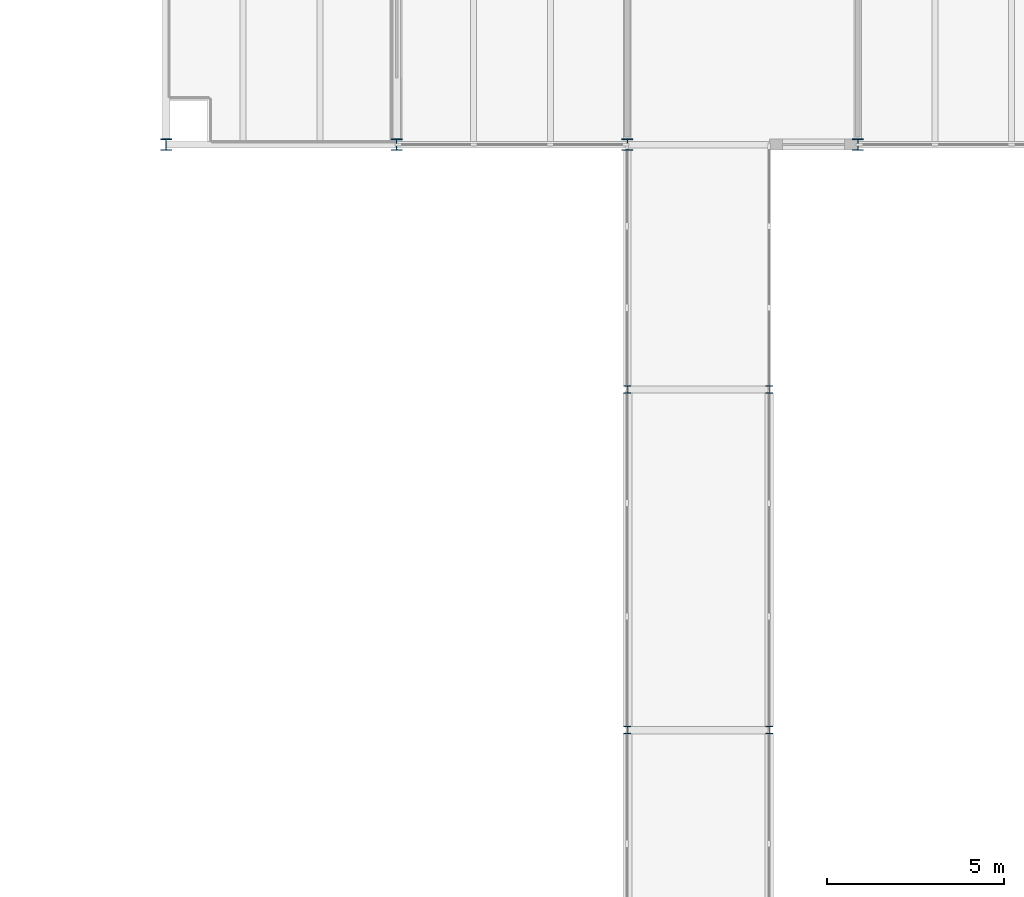
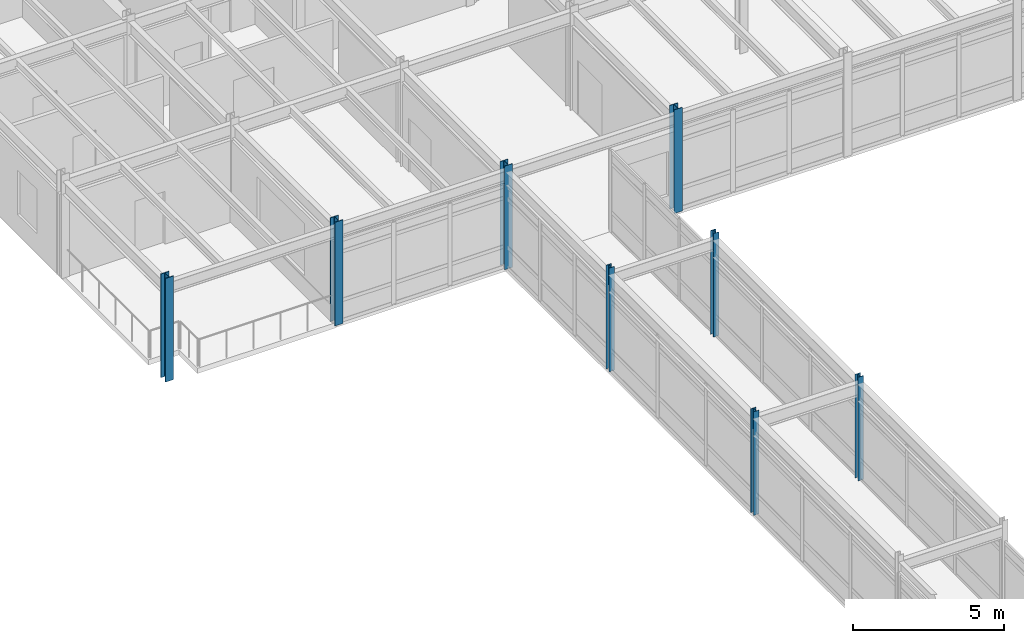
# One storey, part 12 of 144: 8 columns.
"""IFC4 building model written with IfcOpenShell, lengths in metres."""

from ifc_helpers import new_model, si_unit, direction, frame, origin, origin_2d, place, context, subcontext, project, spatial, i_section, extrude, material, material_profile, profile_set, type_object, element, save


model = new_model("IFC4")

# Units and contexts
model_context = context("Model", 3, precision=1e-05, world=origin(), true_north=direction((0.0, 1.0)))
body_context = subcontext(model_context, "Body", "Model", "MODEL_VIEW")
ifc_project = project(units=[si_unit("LENGTHUNIT", "METRE"), si_unit("AREAUNIT", "SQUARE_METRE"), si_unit("VOLUMEUNIT", "CUBIC_METRE"), si_unit("PLANEANGLEUNIT", "RADIAN"), si_unit("MASSUNIT", "GRAM", prefix="KILO")], contexts=[model_context])

# Site, building, storey
site_placement = place(None, origin())
site = spatial("IfcSite", under=ifc_project, at=site_placement, CompositionType="ELEMENT")
building_placement = place(site_placement, origin())
building = spatial("IfcBuilding", under=site, at=building_placement, Name="Trelmorton Wharf Fire Station", CompositionType="ELEMENT")
storey_placement = place(building_placement, frame((0.0, 0.0, 5.39990234375)))
storey = spatial("IfcBuildingStorey", under=building, at=storey_placement, Name="L01", CompositionType="ELEMENT", Elevation=5.39990234375)

# Columns
ifc_material = material(Name="Steel Grade 350", Category="steel")
ifc_material_profile_1 = material_profile(ifc_material, i_section(OverallWidth=0.205078125, OverallDepth=0.2099609375, WebThickness=0.00927734375, FlangeThickness=0.01416015625, FilletRadius=0.011474609375, at=origin_2d()), Name="200UC59.5")
ifc_profile_set_1 = profile_set([ifc_material_profile_1], Name="Steel Grade 350")
column_type_1 = type_object("IfcColumnType", Name="COL_200UC60", PredefinedType="COLUMN", material=ifc_profile_set_1)
for number, where, z_axis, x_axis, name in (
    (1, (117.0, 43.800048828125, 0.0), (0.0, 0.0, 1.0), (1.0, 0.0, 0.0), "COL-L01-0396"),
    (2, (117.0, 53.39990234375, 0.0), (0.0, 0.0, 1.0), (1.0, 0.0, 0.0), "COL-L01-0397"),
    (3, (121.0, 43.800048828125, 0.0), (0.0, 0.0, 1.0), (1.0, 0.0, 0.0), "COL-L01-0403"),
    (4, (121.0, 53.39990234375, 0.0), (0.0, 0.0, 1.0), (1.0, 0.0, 0.0), "COL-L01-0404"),
):
    element("IfcColumn", number, at=place(storey_placement, frame(where, z_axis=z_axis, x_axis=x_axis)), inside=storey, type_object=column_type_1, Name=name, PredefinedType="COLUMN", context=body_context, shape_type="SweptSolid", body=[
        extrude(i_section(OverallWidth=0.205078125, OverallDepth=0.2099609375, WebThickness=0.00927734375, FlangeThickness=0.01416015625, FilletRadius=0.011474609375, at=origin_2d()), origin(), (0.0, 0.0, 1.0), 4.2001953125),
    ])
ifc_material_profile_2 = material_profile(ifc_material, i_section(OverallWidth=0.30908203125, OverallDepth=0.321044921875, WebThickness=0.013916015625, FlangeThickness=0.021728515625, FilletRadius=0.0166015625, at=origin_2d()), Name="310UC137")
ifc_profile_set_2 = profile_set([ifc_material_profile_2], Name="Steel Grade 350")
column_type_2 = type_object("IfcColumnType", Name="COL_310UC137", PredefinedType="COLUMN", material=ifc_profile_set_2)
for number, where, z_axis, x_axis, name in (
    (5, (104.0, 60.300048828125, 0.0), (0.0, 0.0, 1.0), (1.0, 0.0, 0.0), "COL-L01-0379"),
    (6, (110.5, 60.300048828125, 0.0), (0.0, 0.0, 1.0), (1.0, 0.0, 0.0), "COL-L01-0387"),
    (7, (117.0, 60.300048828125, 0.0), (0.0, 0.0, 1.0), (1.0, 0.0, 0.0), "COL-L01-0398"),
    (8, (123.5, 60.300048828125, 0.0), (0.0, 0.0, 1.0), (1.0, 0.0, 0.0), "COL-L01-0409"),
):
    element("IfcColumn", number, at=place(storey_placement, frame(where, z_axis=z_axis, x_axis=x_axis)), inside=storey, type_object=column_type_2, Name=name, PredefinedType="COLUMN", context=body_context, shape_type="SweptSolid", body=[
        extrude(i_section(OverallWidth=0.30908203125, OverallDepth=0.321044921875, WebThickness=0.013916015625, FlangeThickness=0.021728515625, FilletRadius=0.0166015625, at=origin_2d()), origin(), (0.0, 0.0, 1.0), 4.2001953125),
    ])

save(model, "model.ifc")
